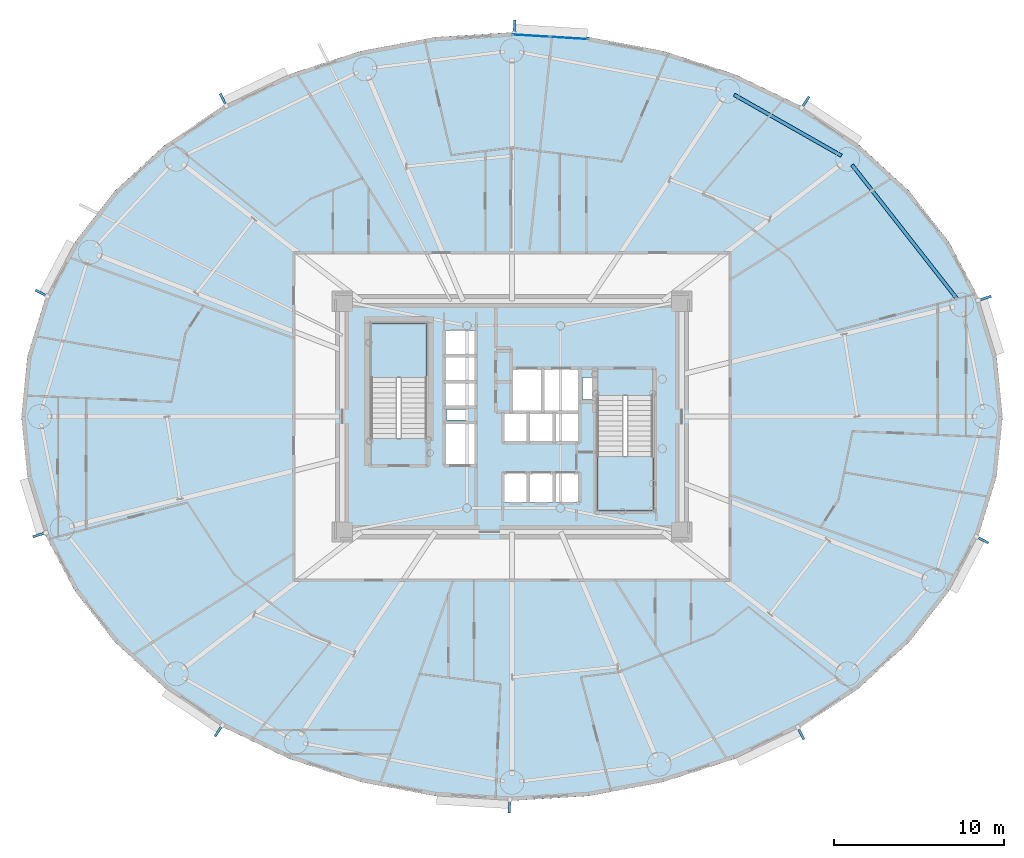
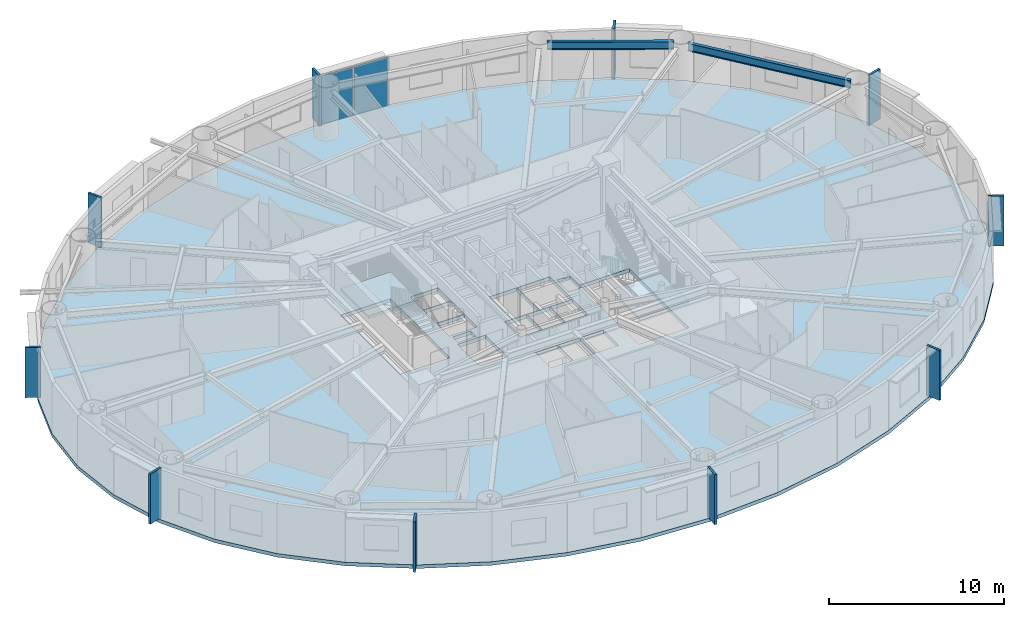
# One storey, part 7 of 21: 12 plates, 3 slabs, 2 beams, 3 elements without a shape of their own.
"""IFC4 building model written with IfcOpenShell, lengths in metres."""

from ifc_helpers import new_model, si_unit, direction, frame, origin, origin_2d, place, context, subcontext, project, spatial, polyline, rectangle, i_section, outline, extrude, source, transform, mapped, material, layer, layer_set, material_profile, profile_set, type_object, element, aggregate, save


model = new_model("IFC4")

# Units and contexts
model_context = context("Model", 3, precision=1e-05, world=origin(), true_north=direction((0.0, 1.0)))
body_context = subcontext(model_context, "Body", "Model", "MODEL_VIEW")
ifc_project = project(units=[si_unit("LENGTHUNIT", "METRE"), si_unit("AREAUNIT", "SQUARE_METRE"), si_unit("VOLUMEUNIT", "CUBIC_METRE"), si_unit("PLANEANGLEUNIT", "RADIAN"), si_unit("MASSUNIT", "GRAM", prefix="KILO")], contexts=[model_context])

# Site, building, storey
site_placement = place(None, origin())
site = spatial("IfcSite", under=ifc_project, at=site_placement, CompositionType="ELEMENT")
building_placement = place(site_placement, origin())
building = spatial("IfcBuilding", under=site, at=building_placement, Name="Linh Dai School and Residence Tower", CompositionType="ELEMENT")
storey_placement = place(building_placement, frame((0.0, 0.0, 115.949951171875)))
storey = spatial("IfcBuildingStorey", under=building, at=storey_placement, Name="L27", CompositionType="ELEMENT", Elevation=115.949951171875)

# Beams
ifc_material_1 = material(Name="Structural Steel S355JR", Category="steel")
ifc_material_profile = material_profile(ifc_material_1, i_section(OverallWidth=0.2099609375, OverallDepth=0.550048828125, WebThickness=0.010986328125, FlangeThickness=0.01708984375, FilletRadius=0.02392578125, at=origin_2d()), Name="IPE 550")
ifc_profile_set = profile_set([ifc_material_profile], Name="Structural Steel S355JR")
beam_type = type_object("IfcBeamType", Name="BM-RB55", PredefinedType="BEAM", material=ifc_profile_set)
beam_1_placement = place(storey_placement, frame((62.233642578125, 33.91162109375, 3.22509765625), z_axis=(-0.616854830973, 0.787076945098, 0.0), x_axis=(-0.787076945098, -0.616854830973, 0.0)))
element("IfcBeam", 1, at=beam_1_placement, inside=storey, type_object=beam_type, Name="L27 Perimeter Elliptical Ring Beam 02", PredefinedType="BEAM", context=body_context, shape_type="SweptSolid", body=[
    extrude(i_section(OverallWidth=0.2099609375, OverallDepth=0.550048828125, WebThickness=0.010986328125, FlangeThickness=0.01708984375, FilletRadius=0.02392578125, at=origin_2d()), origin(), (0.0, 0.0, 1.0), 10.053955078125),
])
beam_2_placement = place(storey_placement, frame((55.407470703125, 42.363037109375, 3.22509765625), z_axis=(-0.86927031475, 0.494337050902, 0.0), x_axis=(-0.494337050902, -0.86927031475, 0.0)))
element("IfcBeam", 2, at=beam_2_placement, inside=storey, type_object=beam_type, Name="L27 Perimeter Elliptical Ring Beam 03", PredefinedType="BEAM", context=body_context, shape_type="SweptSolid", body=[
    extrude(i_section(OverallWidth=0.2099609375, OverallDepth=0.550048828125, WebThickness=0.010986328125, FlangeThickness=0.01708984375, FilletRadius=0.02392578125, at=origin_2d()), origin(), (0.0, 0.0, 1.0), 7.270751953125),
])

# Slab
ifc_material_2 = material(Name="Concrete B45 (C35/45)", Category="concrete")
ifc_layer_1 = layer(ifc_material_2, 0.25)
ifc_layer_set_1 = layer_set([ifc_layer_1], Name="Concrete B45 (C35/45)")
slab_type_1 = type_object("IfcSlabType", Name="SLB-FLR250", PredefinedType="FLOOR", material=ifc_layer_set_1)
slab_1_placement = place(storey_placement, frame((0.0, 0.0, -0.25)))
element("IfcSlab", 3, at=slab_1_placement, inside=storey, type_object=slab_type_1, Name="L27 Composite Structural Floor Slab", PredefinedType="FLOOR", context=body_context, shape_type="SweptSolid", body=[
    extrude(outline(polyline([(64.89990234375, 27.0), (64.544189453125, 30.5400390625), (63.485595703125, 33.9931640625), (61.75, 37.27392578125), (59.380615234375, 40.301513671875), (56.435302734375, 43.001708984375), (52.987060546875, 45.30810546875), (49.120361328125, 47.16357421875), (44.9306640625, 48.5224609375), (40.52099609375, 49.351318359375), (36.0, 49.6298828125), (31.47900390625, 49.351318359375), (27.0693359375, 48.5224609375), (22.879638671875, 47.16357421875), (19.012939453125, 45.30810546875), (15.564697265625, 43.001708984375), (12.619384765625, 40.301513671875), (10.25, 37.27392578125), (8.514404296875, 33.9931640625), (7.455810546875, 30.5400390625), (7.10009765625, 27.0), (7.455810546875, 23.4599609375), (8.514404296875, 20.0068359375), (10.25, 16.72607421875), (12.619384765625, 13.698486328125), (15.564697265625, 10.998291015625), (19.012939453125, 8.69189453125), (22.879638671875, 6.83642578125), (27.0693359375, 5.4775390625), (31.47900390625, 4.648681640625), (36.0, 4.3701171875), (40.52099609375, 4.648681640625), (44.9306640625, 5.4775390625), (49.120361328125, 6.83642578125), (52.987060546875, 8.69189453125), (56.435302734375, 10.998291015625), (59.380615234375, 13.698486328125), (61.75, 16.72607421875), (63.485595703125, 20.0068359375), (64.544189453125, 23.4599609375), (64.89990234375, 27.0)]), holes=[polyline([(30.97998046875, 25.699951171875), (30.97998046875, 32.5), (27.679931640625, 32.5), (27.679931640625, 25.699951171875), (30.97998046875, 25.699951171875)]), polyline([(41.02001953125, 28.25), (41.02001953125, 21.449951171875), (44.320068359375, 21.449951171875), (44.320068359375, 28.25), (41.02001953125, 28.25)]), polyline([(35.97998046875, 27.280029296875), (37.77001953125, 27.280029296875), (37.77001953125, 29.820068359375), (35.97998046875, 29.820068359375), (35.97998046875, 27.280029296875)]), polyline([(32.030029296875, 24.1298828125), (33.8701171875, 24.1298828125), (33.8701171875, 26.6201171875), (32.030029296875, 26.6201171875), (32.030029296875, 24.1298828125)]), polyline([(37.830078125, 27.280029296875), (39.969970703125, 27.280029296875), (39.969970703125, 29.820068359375), (37.830078125, 29.820068359375), (37.830078125, 27.280029296875)]), polyline([(35.47998046875, 21.929931640625), (36.929931640625, 21.929931640625), (36.929931640625, 23.669921875), (35.47998046875, 23.669921875), (35.47998046875, 21.929931640625)]), polyline([(36.989990234375, 21.929931640625), (38.449951171875, 21.929931640625), (38.449951171875, 23.669921875), (36.989990234375, 23.669921875), (36.989990234375, 21.929931640625)]), polyline([(38.510009765625, 21.929931640625), (39.969970703125, 21.929931640625), (39.969970703125, 23.669921875), (38.510009765625, 23.669921875), (38.510009765625, 21.929931640625)]), polyline([(32.030029296875, 27.580078125), (33.8701171875, 27.580078125), (33.8701171875, 29.030029296875), (32.030029296875, 29.030029296875), (32.030029296875, 27.580078125)]), polyline([(32.030029296875, 29.090087890625), (33.8701171875, 29.090087890625), (33.8701171875, 30.550048828125), (32.030029296875, 30.550048828125), (32.030029296875, 29.090087890625)]), polyline([(32.030029296875, 30.610107421875), (33.8701171875, 30.610107421875), (33.8701171875, 32.070068359375), (32.030029296875, 32.070068359375), (32.030029296875, 30.610107421875)]), polyline([(35.47998046875, 25.47998046875), (36.929931640625, 25.47998046875), (36.929931640625, 27.219970703125), (35.47998046875, 27.219970703125), (35.47998046875, 25.47998046875)]), polyline([(36.989990234375, 25.47998046875), (38.449951171875, 25.47998046875), (38.449951171875, 27.219970703125), (36.989990234375, 27.219970703125), (36.989990234375, 25.47998046875)]), polyline([(38.510009765625, 25.47998046875), (39.969970703125, 25.47998046875), (39.969970703125, 27.219970703125), (38.510009765625, 27.219970703125), (38.510009765625, 25.47998046875)]), polyline([(40.14990234375, 28.0), (40.14990234375, 29.300048828125), (41.0, 29.300048828125), (41.0, 28.280029296875), (40.989990234375, 28.280029296875), (40.989990234375, 28.0), (40.14990234375, 28.0)]), polyline([(32.14990234375, 26.800048828125), (33.35009765625, 26.800048828125), (33.35009765625, 27.39990234375), (32.14990234375, 27.39990234375), (32.14990234375, 26.800048828125)])]), origin(), (0.0, 0.0, 1.0), 0.25),
])

# Stair, slab
stair_type = type_object("IfcStairType", Name="ST-DOG-1550-R1442", PredefinedType="HALF_TURN_STAIR", material=ifc_material_2)
stair_1_placement = place(storey_placement, origin())
stair_1 = element("IfcStair", 4, at=stair_1_placement, inside=storey, type_object=stair_type, Name="L27 Core Smokeproof Exit Stair ST1", PredefinedType="HALF_TURN_STAIR")
ifc_layer_2 = layer(ifc_material_2, 0.199951171875)
ifc_layer_set_2 = layer_set([ifc_layer_2], Name="Concrete B45 (C35/45)")
slab_type_2 = type_object("IfcSlabType", Name="SLB-ST-LANDING-200", PredefinedType="LANDING", material=ifc_layer_set_2)
slab_2_placement = place(storey_placement, frame((0.0, 0.0, 1.675048828125)))
slab_2 = element("IfcSlab", 5, at=slab_2_placement, type_object=slab_type_2, Name="ST1 landing 1", PredefinedType="LANDING", context=body_context, shape_type="SweptSolid", body=[
    extrude(outline(polyline([(30.97998046875, 29.300048828125), (30.97998046875, 32.5), (27.679931640625, 32.5), (27.679931640625, 29.300048828125), (30.97998046875, 29.300048828125)])), origin(), (0.0, 0.0, 1.0), 0.199951171875),
])
aggregate(stair_1, [slab_2])

stair_2_placement = place(storey_placement, origin())
stair_2 = element("IfcStair", 6, at=stair_2_placement, inside=storey, type_object=stair_type, Name="L27 Core Smokeproof Exit Stair ST2", PredefinedType="HALF_TURN_STAIR")
slab_3_placement = place(storey_placement, frame((0.0, 0.0, 1.675048828125)))
slab_3 = element("IfcSlab", 7, at=slab_3_placement, type_object=slab_type_2, Name="ST2 landing 1", PredefinedType="LANDING", context=body_context, shape_type="SweptSolid", body=[
    extrude(outline(polyline([(41.02001953125, 24.64990234375), (41.02001953125, 21.449951171875), (44.320068359375, 21.449951171875), (44.320068359375, 24.64990234375), (41.02001953125, 24.64990234375)])), origin(), (0.0, 0.0, 1.0), 0.199951171875),
])
aggregate(stair_2, [slab_3])

# Plates
ifc_material_3 = material(Name="Precast Concrete B45 (C35/45)", Category="concrete")
ifc_layer_3 = layer(ifc_material_3, 0.139892578125)
ifc_layer_set_3 = layer_set([ifc_layer_3], Name="Precast Concrete B45 (C35/45)")
plate_type_1 = type_object("IfcPlateType", Name="FIN-TC-900x140", PredefinedType="USERDEFINED", material=ifc_layer_set_3)
shared_shape_1 = source(origin(), body_context, "Body", "SweptSolid", [
    extrude(rectangle(XDim=0.89990234375, YDim=0.139892578125, at=origin_2d()), origin(), (0.0, 0.0, 1.0), 3.5),
])
for number, where, z_axis, x_axis, name in (
    (8, (63.79736328125, 33.95068359375, 0.0), (0.0, 0.0, 1.0), (0.956071511028, 0.293133528962, 0.0), "L27 Precast Terracotta Radial Fin 02"),
    (9, (53.2529296875, 45.473388671875, 0.0), (0.0, 0.0, 1.0), (0.555913198527, 0.831240347736, 0.0), "L27 Precast Terracotta Radial Fin 06"),
    (10, (36.14501953125, 49.90673828125, 0.0), (0.0, 0.0, 1.0), (0.061509255091, 0.998106513123, 0.0), "L27 Precast Terracotta Radial Fin 10"),
    (11, (19.005615234375, 45.620849609375, 0.0), (0.0, 0.0, 1.0), (-0.432617589064, 0.901577518371, 0.0), "L27 Precast Terracotta Radial Fin 14"),
    (12, (8.32373046875, 34.242919921875, 0.0), (0.0, 0.0, 1.0), (-0.883942180016, 0.467596217252, 0.0), "L27 Precast Terracotta Radial Fin 18"),
    (13, (8.20263671875, 20.04931640625, 0.0), (0.0, 0.0, 1.0), (-0.956071511028, -0.293133528962, 0.0), "L27 Precast Terracotta Radial Fin 22"),
    (14, (18.7470703125, 8.526611328125, 0.0), (0.0, 0.0, 1.0), (-0.555913198527, -0.831240347736, 0.0), "L27 Precast Terracotta Radial Fin 26"),
    (15, (35.85498046875, 4.09326171875, 0.0), (0.0, 0.0, 1.0), (-0.061509255091, -0.998106513123, 0.0), "L27 Precast Terracotta Radial Fin 30"),
    (16, (52.994384765625, 8.379150390625, 0.0), (0.0, 0.0, 1.0), (0.432617589064, -0.901577518371, 0.0), "L27 Precast Terracotta Radial Fin 34"),
    (17, (63.67626953125, 19.757080078125, 0.0), (0.0, 0.0, 1.0), (0.883942180016, -0.467596217252, 0.0), "L27 Precast Terracotta Radial Fin 38"),
):
    element("IfcPlate", number, at=place(storey_placement, frame(where, z_axis=z_axis, x_axis=x_axis)), inside=storey, type_object=plate_type_1, Name=name, ObjectType="RADIAL FIN", PredefinedType="USERDEFINED", context=body_context, shape_type="MappedRepresentation", body=[
        mapped(shared_shape_1, transform((0.0, 0.0, 0.0), x_axis=(1.0, 0.0, 0.0), y_axis=(0.0, 1.0, 0.0), z_axis=(0.0, 0.0, 1.0), scale=1.0)),
    ])

# Curtain wall, plates
ifc_material_4 = material(Name="Aluminium Anodised Curtain Wall", Category="aluminium")
ifc_layer_4 = layer(ifc_material_4, 0.14990234375)
ifc_layer_set_4 = layer_set([ifc_layer_4], Name="Aluminium Anodised Curtain Wall")
curtain_wall_type = type_object("IfcCurtainWallType", Name="CW-SYS-4", PredefinedType="USERDEFINED", material=ifc_layer_set_4)
curtain_wall_placement = place(storey_placement, origin())
curtain_wall = element("IfcCurtainWall", 18, at=curtain_wall_placement, inside=storey, type_object=curtain_wall_type, Name="L27 CW4 Curtain Wall 10", ObjectType="RIBBON CURTAIN WALL", PredefinedType="USERDEFINED")
ifc_material_5 = material(Name="Double Low-E Insulated Glazing", Category="glass")
ifc_layer_5 = layer(ifc_material_5, 0.02587890625)
ifc_layer_set_5 = layer_set([ifc_layer_5], Name="Double Low-E Insulated Glazing")
plate_type_2 = type_object("IfcPlateType", Name="CW-SYS-4-PAN", PredefinedType="CURTAIN_PANEL", material=ifc_layer_set_5)
shared_shape_2 = source(origin(), body_context, "Body", "SweptSolid", [
    extrude(rectangle(XDim=2.178955078125, YDim=0.02587890625, at=origin_2d()), origin(), (0.0, 0.0, 1.0), 3.39599609375),
])
plate_1_placement = place(storey_placement, frame((37.139404296875, 49.434814453125, 0.052001953125), z_axis=(0.0, 0.0, 1.0), x_axis=(0.998106513123, -0.061509255091, 0.0)))
plate_1 = element("IfcPlate", 19, at=plate_1_placement, type_object=plate_type_2, Name="CW4 panel 1.1", PredefinedType="CURTAIN_PANEL", context=body_context, shape_type="MappedRepresentation", body=[
    mapped(shared_shape_2, transform((0.0, 0.0, 0.0), x_axis=(1.0, 0.0, 0.0), y_axis=(0.0, 1.0, 0.0), z_axis=(0.0, 0.0, 1.0), scale=1.0)),
])
plate_2_placement = place(storey_placement, frame((39.3662109375, 49.297607421875, 0.052001953125), z_axis=(0.0, 0.0, 1.0), x_axis=(0.998106513123, -0.061509255091, 0.0)))
plate_2 = element("IfcPlate", 20, at=plate_2_placement, type_object=plate_type_2, Name="CW4 panel 2.1", PredefinedType="CURTAIN_PANEL", context=body_context, shape_type="MappedRepresentation", body=[
    mapped(shared_shape_2, transform((0.0, 0.0, 0.0), x_axis=(1.0, 0.0, 0.0), y_axis=(0.0, 1.0, 0.0), z_axis=(0.0, 0.0, 1.0), scale=1.0)),
])
aggregate(curtain_wall, [plate_1, plate_2])

save(model, "model.ifc")
